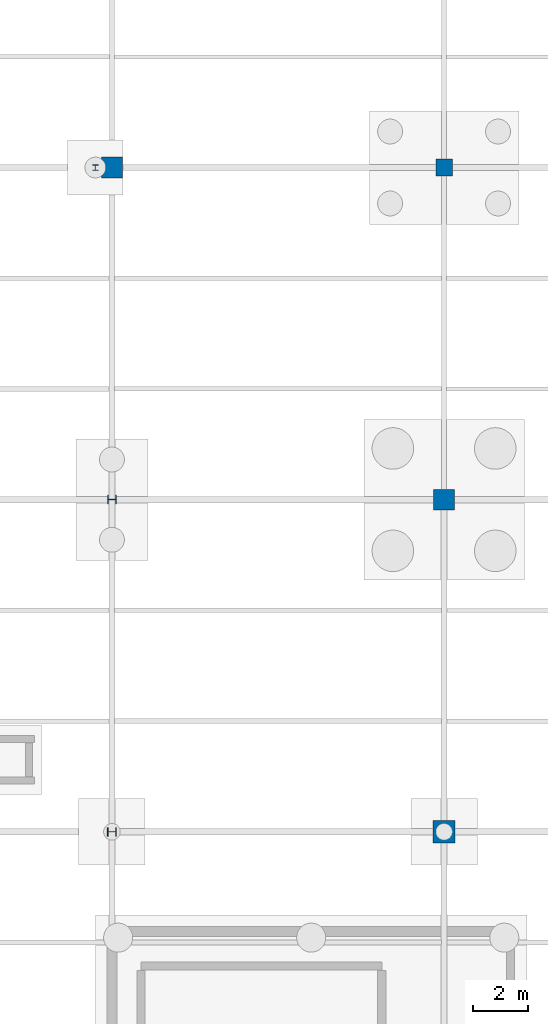
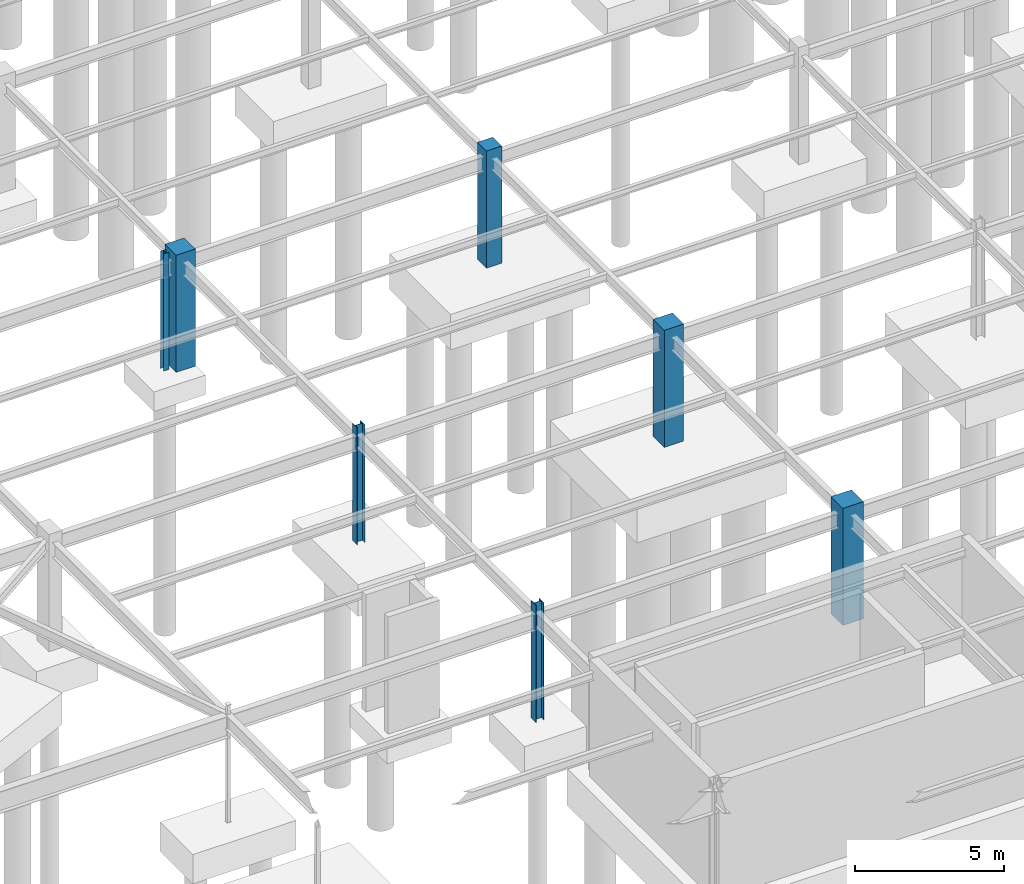
# One storey, part 53 of 136: 7 columns.
"""IFC4 building model written with IfcOpenShell, lengths in metres."""

from ifc_helpers import new_model, si_unit, direction, frame, origin, origin_2d, place, context, subcontext, project, spatial, rectangle, i_section, extrude, material, material_profile, profile_set, type_object, element, save


model = new_model("IFC4")

# Units and contexts
model_context = context("Model", 3, precision=1e-05, world=origin(), true_north=direction((0.0, 1.0)))
body_context = subcontext(model_context, "Body", "Model", "MODEL_VIEW")
ifc_project = project(units=[si_unit("LENGTHUNIT", "METRE"), si_unit("AREAUNIT", "SQUARE_METRE"), si_unit("VOLUMEUNIT", "CUBIC_METRE"), si_unit("PLANEANGLEUNIT", "RADIAN"), si_unit("MASSUNIT", "GRAM", prefix="KILO")], contexts=[model_context])

# Site, building, storey
site_placement = place(None, origin())
site = spatial("IfcSite", under=ifc_project, at=site_placement, CompositionType="ELEMENT")
building_placement = place(site_placement, origin())
building = spatial("IfcBuilding", under=site, at=building_placement, Name="Tarnwether General Hospital", CompositionType="ELEMENT")
storey_placement = place(building_placement, frame((0.0, 0.0, -4.800048828125)))
storey = spatial("IfcBuildingStorey", under=building, at=storey_placement, Name="LG", CompositionType="ELEMENT", Elevation=-4.800048828125)

# Columns
ifc_material_1 = material(Name="Steel Grade 350 (350 MPa)", Category="steel")
ifc_material_profile_1 = material_profile(ifc_material_1, i_section(OverallWidth=0.30908203125, OverallDepth=0.321044921875, WebThickness=0.013916015625, FlangeThickness=0.021728515625, at=origin_2d()), Name="310UC137")
ifc_profile_set_1 = profile_set([ifc_material_profile_1], Name="Steel Grade 350 (350 MPa)")
column_type_1 = type_object("IfcColumnType", Name="COL-06", PredefinedType="COLUMN", material=ifc_profile_set_1)
column_1_placement = place(storey_placement, frame((156.0, 33.60009765625, 0.0), z_axis=(0.0, 0.0, 1.0), x_axis=(0.0, 1.0, 0.0)))
element("IfcColumn", 1, at=column_1_placement, inside=storey, type_object=column_type_1, Name="Column COLG-LG-15600_3360", PredefinedType="COLUMN", context=body_context, shape_type="SweptSolid", body=[
    extrude(i_section(OverallWidth=0.30908203125, OverallDepth=0.321044921875, WebThickness=0.013916015625, FlangeThickness=0.021728515625, at=origin_2d()), origin(), (0.0, 0.0, 1.0), 4.800048828125),
])
ifc_material_2 = material(Name="Steel Grade 350 (350 MPa)", Category="steel")
ifc_material_profile_2 = material_profile(ifc_material_2, i_section(OverallWidth=0.306884765625, OverallDepth=0.31494140625, WebThickness=0.011962890625, FlangeThickness=0.018798828125, at=origin_2d()), Name="310UC118")
ifc_profile_set_2 = profile_set([ifc_material_profile_2], Name="Steel Grade 350 (350 MPa)")
column_type_2 = type_object("IfcColumnType", Name="COL-07", PredefinedType="COLUMN", material=ifc_profile_set_2)
column_2_placement = place(storey_placement, frame((156.0, 45.60009765625, 0.0), z_axis=(0.0, 0.0, 1.0), x_axis=(0.0, 1.0, 0.0)))
element("IfcColumn", 2, at=column_2_placement, inside=storey, type_object=column_type_2, Name="Column COLG-LG-15600_4560", PredefinedType="COLUMN", context=body_context, shape_type="SweptSolid", body=[
    extrude(i_section(OverallWidth=0.306884765625, OverallDepth=0.31494140625, WebThickness=0.011962890625, FlangeThickness=0.018798828125, at=origin_2d()), origin(), (0.0, 0.0, 1.0), 4.800048828125),
])
ifc_material_3 = material(Name="Concrete 50 MPa", Category="concrete")
ifc_material_profile_3 = material_profile(ifc_material_3, rectangle(XDim=0.800048828125, YDim=0.800048828125, at=origin_2d()), Name="RC-COL-800x800")
ifc_profile_set_3 = profile_set([ifc_material_profile_3], Name="Concrete 50 MPa")
column_type_3 = type_object("IfcColumnType", Name="COL-16", PredefinedType="COLUMN", material=ifc_profile_set_3)
column_3_placement = place(storey_placement, frame((168.0, 33.60009765625, 0.0), z_axis=(0.0, 0.0, 1.0), x_axis=(1.0, 0.0, 0.0)))
element("IfcColumn", 3, at=column_3_placement, inside=storey, type_object=column_type_3, Name="Column COLG-LG-16800_3360", PredefinedType="COLUMN", context=body_context, shape_type="SweptSolid", body=[
    extrude(rectangle(XDim=0.800048828125, YDim=0.800048828125, at=origin_2d()), origin(), (0.0, 0.0, 1.0), 4.800048828125),
])
ifc_material_4 = material(Name="Concrete 50 MPa", Category="concrete")
ifc_material_profile_4 = material_profile(ifc_material_4, rectangle(XDim=0.75, YDim=0.75, at=origin_2d()), Name="RC-COL-750x750")
ifc_profile_set_4 = profile_set([ifc_material_profile_4], Name="Concrete 50 MPa")
column_type_4 = type_object("IfcColumnType", Name="COL-17", PredefinedType="COLUMN", material=ifc_profile_set_4)
for number, where, z_axis, x_axis, name in (
    (4, (168.0, 45.60009765625, 0.0), (0.0, 0.0, 1.0), (1.0, 0.0, 0.0), "Column COLG-LG-16800_4560"),
    (5, (156.0, 57.60009765625, 0.0), (0.0, 0.0, 1.0), (1.0, 0.0, 0.0), "Column COLG-LG-15600_5760"),
):
    element("IfcColumn", number, at=place(storey_placement, frame(where, z_axis=z_axis, x_axis=x_axis)), inside=storey, type_object=column_type_4, Name=name, PredefinedType="COLUMN", context=body_context, shape_type="SweptSolid", body=[
        extrude(rectangle(XDim=0.75, YDim=0.75, at=origin_2d()), origin(), (0.0, 0.0, 1.0), 4.800048828125),
    ])
ifc_material_5 = material(Name="Concrete 50 MPa", Category="concrete")
ifc_material_profile_5 = material_profile(ifc_material_5, rectangle(XDim=0.60009765625, YDim=0.60009765625, at=origin_2d()), Name="RC-COL-600x600")
ifc_profile_set_5 = profile_set([ifc_material_profile_5], Name="Concrete 50 MPa")
column_type_5 = type_object("IfcColumnType", Name="COL-19", PredefinedType="COLUMN", material=ifc_profile_set_5)
column_4_placement = place(storey_placement, frame((168.0, 57.60009765625, 0.0), z_axis=(0.0, 0.0, 1.0), x_axis=(1.0, 0.0, 0.0)))
element("IfcColumn", 6, at=column_4_placement, inside=storey, type_object=column_type_5, Name="Column COLG-LG-16800_5760", PredefinedType="COLUMN", context=body_context, shape_type="SweptSolid", body=[
    extrude(rectangle(XDim=0.60009765625, YDim=0.60009765625, at=origin_2d()), origin(), (0.0, 0.0, 1.0), 4.800048828125),
])
ifc_material_6 = material(Name="Steel Grade 350 (350 MPa)", Category="steel")
ifc_material_profile_6 = material_profile(ifc_material_6, i_section(OverallWidth=0.202880859375, OverallDepth=0.202880859375, WebThickness=0.00732421875, FlangeThickness=0.010986328125, at=origin_2d()), Name="200UC46.2")
ifc_profile_set_6 = profile_set([ifc_material_profile_6], Name="Steel Grade 350 (350 MPa)")
column_type_6 = type_object("IfcColumnType", Name="COL-27", PredefinedType="COLUMN", material=ifc_profile_set_6)
column_5_placement = place(storey_placement, frame((155.39990234375, 57.60009765625, 0.0), z_axis=(0.0, 0.0, 1.0), x_axis=(1.0, 0.0, 0.0)))
element("IfcColumn", 7, at=column_5_placement, inside=storey, type_object=column_type_6, Name="Column COLG-LG-15540_5760", PredefinedType="COLUMN", context=body_context, shape_type="SweptSolid", body=[
    extrude(i_section(OverallWidth=0.202880859375, OverallDepth=0.202880859375, WebThickness=0.00732421875, FlangeThickness=0.010986328125, at=origin_2d()), origin(), (0.0, 0.0, 1.0), 4.800048828125),
])

save(model, "model.ifc")
